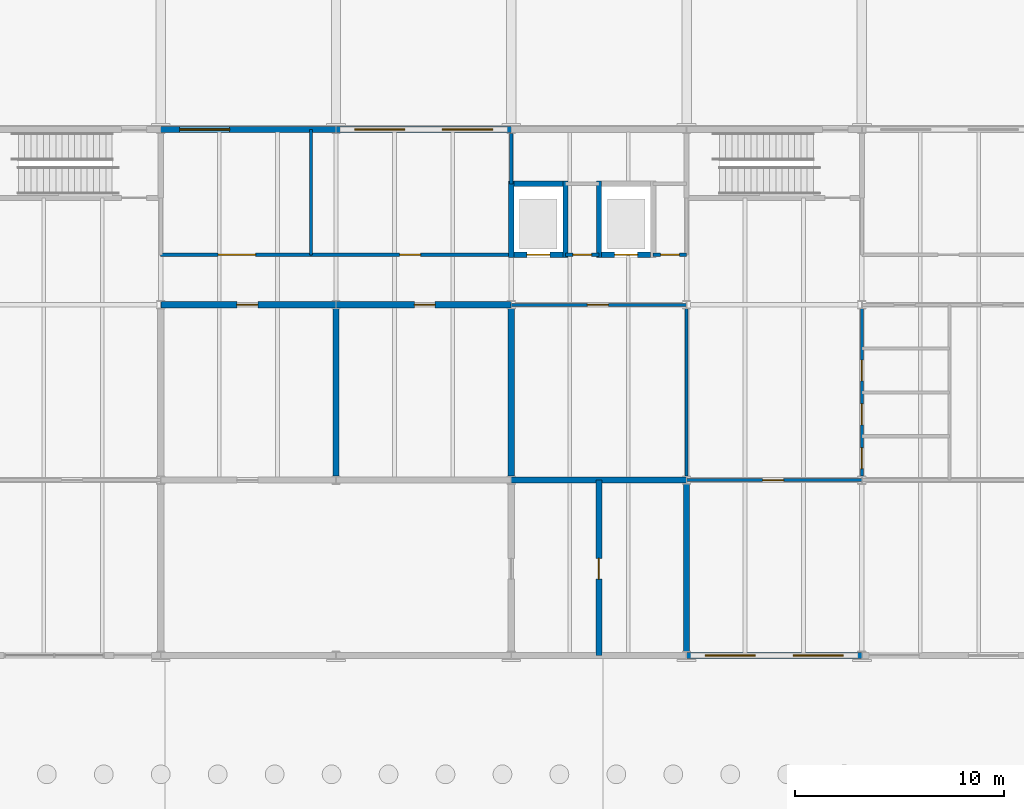
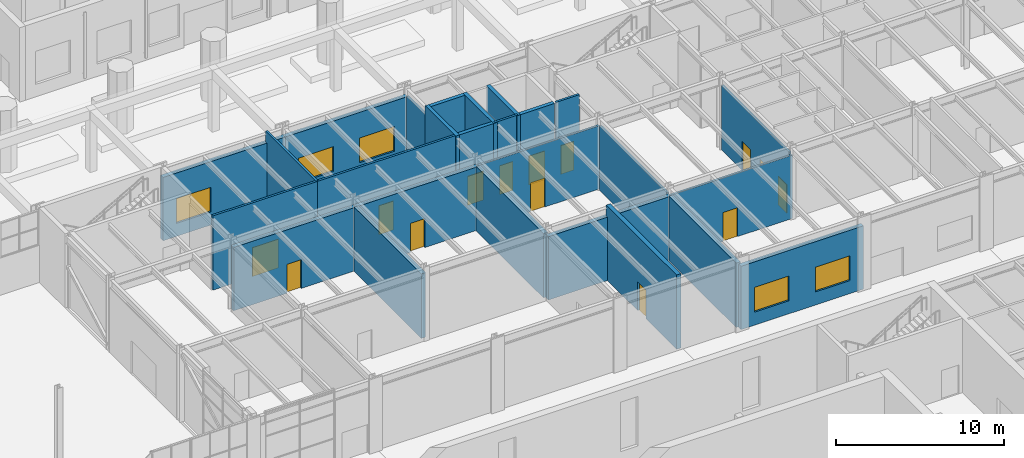
# One storey, part 70 of 127: 26 walls, 14 doors, 5 windows, 19 openings.
"""IFC4 building model written with IfcOpenShell, lengths in metres."""

from ifc_helpers import new_model, si_unit, direction, frame, frame_2d, origin, place, context, subcontext, project, spatial, rectangle, extrude, material, layer, layer_set, type_object, element, fill, save


model = new_model("IFC4")

# Units and contexts
model_context = context("Model", 3, precision=1e-05, world=origin(), true_north=direction((0.0, 1.0)))
body_context = subcontext(model_context, "Body", "Model", "MODEL_VIEW")
ifc_project = project(units=[si_unit("LENGTHUNIT", "METRE"), si_unit("AREAUNIT", "SQUARE_METRE"), si_unit("VOLUMEUNIT", "CUBIC_METRE"), si_unit("PLANEANGLEUNIT", "RADIAN"), si_unit("MASSUNIT", "GRAM", prefix="KILO")], contexts=[model_context])

# Site, building, storey
site_placement = place(None, origin())
site = spatial("IfcSite", under=ifc_project, at=site_placement, CompositionType="ELEMENT")
building_placement = place(site_placement, origin())
building = spatial("IfcBuilding", under=site, at=building_placement, Name="Ljudholm Concert House", CompositionType="ELEMENT")
storey_placement = place(building_placement, origin())
storey = spatial("IfcBuildingStorey", under=building, at=storey_placement, Name="L00", CompositionType="ELEMENT", Elevation=0.0)

# Walls
ifc_material_1 = material(Name="Double gypsum board on staggered studs")
ifc_layer_1 = layer(ifc_material_1, 0.300048828125)
ifc_layer_set_1 = layer_set([ifc_layer_1], Name="Double gypsum board on staggered studs")
wall_type_1 = type_object("IfcWallType", Name="ACOUSTIC PARTITION 300", PredefinedType="PARTITIONING", material=ifc_layer_set_1)
for number, where, z_axis, x_axis, name in (
    (1, (71.199951171875, 113.38671875, 0.0), (0.0, 0.0, 1.0), (0.0, 1.0, 0.0), "Acoustic partition"),
    (2, (79.60009765625, 113.38671875, 0.0), (0.0, 0.0, 1.0), (0.0, 1.0, 0.0), "Acoustic partition"),
):
    element("IfcWall", number, at=place(storey_placement, frame(where, z_axis=z_axis, x_axis=x_axis)), inside=storey, type_object=wall_type_1, Name=name, PredefinedType="PARTITIONING", context=body_context, shape_type="SweptSolid", body=[
        extrude(rectangle(XDim=8.026611328125, YDim=0.300048828125, at=frame_2d((4.01318359375, 0.0))), origin(), (0.0, 0.0, 1.0), 4.6865234375),
    ])

# Wall, opening, door
wall_1_placement = place(storey_placement, frame((83.800048828125, 104.800048828125, 0.0), z_axis=(0.0, 0.0, 1.0), x_axis=(0.0, 1.0, 0.0)))
wall_1 = element("IfcWall", 3, at=wall_1_placement, inside=storey, type_object=wall_type_1, Name="Acoustic partition", PredefinedType="PARTITIONING", context=body_context, shape_type="SweptSolid", body=[
    extrude(rectangle(XDim=8.39990234375, YDim=0.300048828125, at=frame_2d((4.199951171875, 0.0))), origin(), (0.0, 0.0, 1.0), 5.39990234375),
])
opening_1_placement = place(wall_1_placement, frame((3.64990234375, 0.0, 0.0)))
opening_1 = element("IfcOpeningElement", 4, at=opening_1_placement, cuts=wall_1, Name="Opening D-R00-021", PredefinedType="OPENING", context=body_context, shape_type="SweptSolid", body=[
    extrude(rectangle(XDim=1.0, YDim=2.10009765625, at=frame_2d((0.5, 1.050048828125))), frame((0.0, 0.159912109375, 0.0), z_axis=(0.0, -1.0, 0.0), x_axis=(1.0, 0.0, 0.0)), (0.0, 0.0, 1.0), 0.320068359375),
])
ifc_material_2 = material(Name="Hollow metal door in steel frame", Category="steel")
door_type_1 = type_object("IfcDoorType", Name="SWING DOOR 1000x2100", OperationType="SINGLE_SWING_LEFT", PredefinedType="DOOR", material=ifc_material_2)
door_1_placement = place(opening_1_placement, frame((1.0, 0.0, 0.0), z_axis=(0.0, 0.0, 1.0), x_axis=(-1.0, 0.0, 0.0)))
door_1 = element("IfcDoor", 5, at=door_1_placement, inside=storey, type_object=door_type_1, Name="Door", OperationType="SINGLE_SWING_RIGHT", OverallHeight=2.10009765625, OverallWidth=1.0, PredefinedType="DOOR", context=body_context, shape_type="SweptSolid", body=[
    extrude(rectangle(XDim=1.0, YDim=2.10009765625, at=frame_2d((0.5, 1.050048828125))), frame((0.0, 0.02490234375, 0.0), z_axis=(0.0, -1.0, 0.0), x_axis=(1.0, 0.0, 0.0)), (0.0, 0.0, 1.0), 0.050048828125),
])
fill(opening_1, door_1)

# Walls
wall_2_placement = place(storey_placement, frame((88.0, 104.986572265625, 0.0), z_axis=(0.0, 0.0, 1.0), x_axis=(0.0, 1.0, 0.0)))
element("IfcWall", 6, at=wall_2_placement, inside=storey, type_object=wall_type_1, Name="Acoustic partition", PredefinedType="PARTITIONING", context=body_context, shape_type="SweptSolid", body=[
    extrude(rectangle(XDim=8.02685546875, YDim=0.300048828125, at=frame_2d((4.013427734375, 0.0))), origin(), (0.0, 0.0, 1.0), 4.6865234375),
])
wall_3_placement = place(storey_placement, frame((79.591796875, 113.199951171875, 0.0), z_axis=(0.0, 0.0, 1.0), x_axis=(1.0, 0.0, 0.0)))
element("IfcWall", 7, at=wall_3_placement, inside=storey, type_object=wall_type_1, Name="Acoustic partition", PredefinedType="PARTITIONING", context=body_context, shape_type="SweptSolid", body=[
    extrude(rectangle(XDim=8.41650390625, YDim=0.300048828125, at=frame_2d((4.208251953125, 0.0))), origin(), (0.0, 0.0, 1.0), 4.60791015625),
])

# Wall, opening, door
wall_4_placement = place(storey_placement, frame((62.80810546875, 121.60009765625, 0.0), z_axis=(0.0, 0.0, 1.0), x_axis=(1.0, 0.0, 0.0)))
wall_4 = element("IfcWall", 8, at=wall_4_placement, inside=storey, type_object=wall_type_1, Name="Acoustic partition", PredefinedType="PARTITIONING", context=body_context, shape_type="SweptSolid", body=[
    extrude(rectangle(XDim=8.400146484375, YDim=0.300048828125, at=frame_2d((4.2001953125, 0.0))), origin(), (0.0, 0.0, 1.0), 4.60791015625),
])
opening_2_placement = place(wall_4_placement, frame((3.641845703125, 0.0, 0.0)))
opening_2 = element("IfcOpeningElement", 9, at=opening_2_placement, cuts=wall_4, Name="Opening D-R00-018", PredefinedType="OPENING", context=body_context, shape_type="SweptSolid", body=[
    extrude(rectangle(XDim=1.0, YDim=2.10009765625, at=frame_2d((0.5, 1.050048828125))), frame((0.0, 0.159912109375, 0.0), z_axis=(0.0, -1.0, 0.0), x_axis=(1.0, 0.0, 0.0)), (0.0, 0.0, 1.0), 0.320068359375),
])
door_2_placement = place(opening_2_placement, frame((1.0, 0.0, 0.0), z_axis=(0.0, 0.0, 1.0), x_axis=(-1.0, 0.0, 0.0)))
door_2 = element("IfcDoor", 10, at=door_2_placement, inside=storey, type_object=door_type_1, Name="Door", OperationType="SINGLE_SWING_LEFT", OverallHeight=2.10009765625, OverallWidth=1.0, PredefinedType="DOOR", context=body_context, shape_type="SweptSolid", body=[
    extrude(rectangle(XDim=1.0, YDim=2.10009765625, at=frame_2d((0.5, 1.050048828125))), frame((0.0, 0.02490234375, 0.0), z_axis=(0.0, -1.0, 0.0), x_axis=(1.0, 0.0, 0.0)), (0.0, 0.0, 1.0), 0.050048828125),
])
fill(opening_2, door_2)

wall_5_placement = place(storey_placement, frame((71.19189453125, 121.60009765625, 0.0), z_axis=(0.0, 0.0, 1.0), x_axis=(1.0, 0.0, 0.0)))
wall_5 = element("IfcWall", 11, at=wall_5_placement, inside=storey, type_object=wall_type_1, Name="Acoustic partition", PredefinedType="PARTITIONING", context=body_context, shape_type="SweptSolid", body=[
    extrude(rectangle(XDim=8.416259765625, YDim=0.300048828125, at=frame_2d((4.2080078125, 0.0))), origin(), (0.0, 0.0, 1.0), 4.60791015625),
])
opening_3_placement = place(wall_5_placement, frame((3.75830078125, 0.0, 0.0)))
opening_3 = element("IfcOpeningElement", 12, at=opening_3_placement, cuts=wall_5, Name="Opening D-R00-019", PredefinedType="OPENING", context=body_context, shape_type="SweptSolid", body=[
    extrude(rectangle(XDim=1.0, YDim=2.10009765625, at=frame_2d((0.5, 1.050048828125))), frame((0.0, 0.159912109375, 0.0), z_axis=(0.0, -1.0, 0.0), x_axis=(1.0, 0.0, 0.0)), (0.0, 0.0, 1.0), 0.320068359375),
])
door_3_placement = place(opening_3_placement, frame((1.0, 0.0, 0.0), z_axis=(0.0, 0.0, 1.0), x_axis=(-1.0, 0.0, 0.0)))
door_3 = element("IfcDoor", 13, at=door_3_placement, inside=storey, type_object=door_type_1, Name="Door", OperationType="SINGLE_SWING_RIGHT", OverallHeight=2.10009765625, OverallWidth=1.0, PredefinedType="DOOR", context=body_context, shape_type="SweptSolid", body=[
    extrude(rectangle(XDim=1.0, YDim=2.10009765625, at=frame_2d((0.5, 1.050048828125))), frame((0.0, 0.02490234375, 0.0), z_axis=(0.0, -1.0, 0.0), x_axis=(1.0, 0.0, 0.0)), (0.0, 0.0, 1.0), 0.050048828125),
])
fill(opening_3, door_3)

# Walls
ifc_material_3 = material(Name="Gypsum board on steel studs", Category="steel")
ifc_layer_2 = layer(ifc_material_3, 0.14990234375)
ifc_layer_set_2 = layer_set([ifc_layer_2], Name="Gypsum board on steel studs")
wall_type_2 = type_object("IfcWallType", Name="GYPSUM PARTITION 150", PredefinedType="PARTITIONING", material=ifc_layer_set_2)
wall_6_placement = place(storey_placement, frame((70.0, 124.0, 0.0), z_axis=(0.0, 0.0, 1.0), x_axis=(0.0, 1.0, 0.0)))
element("IfcWall", 14, at=wall_6_placement, inside=storey, type_object=wall_type_2, Name="Partition", PredefinedType="PARTITIONING", context=body_context, shape_type="SweptSolid", body=[
    extrude(rectangle(XDim=6.0, YDim=0.14990234375, at=frame_2d((3.0, 0.0))), origin(), (0.0, 0.0, 1.0), 5.39990234375),
])
wall_7_placement = place(storey_placement, frame((79.60009765625, 127.39990234375, 0.0), z_axis=(0.0, 0.0, 1.0), x_axis=(0.0, 1.0, 0.0)))
element("IfcWall", 15, at=wall_7_placement, inside=storey, type_object=wall_type_2, Name="Partition", PredefinedType="PARTITIONING", context=body_context, shape_type="SweptSolid", body=[
    extrude(rectangle(XDim=2.413330078125, YDim=0.14990234375, at=frame_2d((1.20654296875, 0.0))), origin(), (0.0, 0.0, 1.0), 4.6865234375),
])
wall_8_placement = place(storey_placement, frame((88.0, 113.38671875, 0.0), z_axis=(0.0, 0.0, 1.0), x_axis=(0.0, 1.0, 0.0)))
element("IfcWall", 16, at=wall_8_placement, inside=storey, type_object=wall_type_2, Name="Partition", PredefinedType="PARTITIONING", context=body_context, shape_type="SweptSolid", body=[
    extrude(rectangle(XDim=8.026611328125, YDim=0.14990234375, at=frame_2d((4.01318359375, 0.0))), origin(), (0.0, 0.0, 1.0), 4.6865234375),
])

# Wall, openings, doors
wall_9_placement = place(storey_placement, frame((96.39990234375, 113.38671875, 0.0), z_axis=(0.0, 0.0, 1.0), x_axis=(0.0, 1.0, 0.0)))
wall_9 = element("IfcWall", 17, at=wall_9_placement, inside=storey, type_object=wall_type_2, Name="Partition", PredefinedType="PARTITIONING", context=body_context, shape_type="SweptSolid", body=[
    extrude(rectangle(XDim=8.026611328125, YDim=0.14990234375, at=frame_2d((4.01318359375, 0.0))), origin(), (0.0, 0.0, 1.0), 4.6865234375),
])
opening_4_placement = place(wall_9_placement, frame((0.36328125, 0.0, 0.0)))
opening_4 = element("IfcOpeningElement", 18, at=opening_4_placement, cuts=wall_9, Name="Opening D-R00-024", PredefinedType="OPENING", context=body_context, shape_type="SweptSolid", body=[
    extrude(rectangle(XDim=1.0, YDim=2.10009765625, at=frame_2d((0.5, 1.050048828125))), frame((0.0, 0.0849609375, 0.0), z_axis=(0.0, -1.0, 0.0), x_axis=(1.0, 0.0, 0.0)), (0.0, 0.0, 1.0), 0.169921875),
])
opening_5_placement = place(wall_9_placement, frame((2.46337890625, 0.0, 0.0)))
opening_5 = element("IfcOpeningElement", 19, at=opening_5_placement, cuts=wall_9, Name="Opening D-R00-025", PredefinedType="OPENING", context=body_context, shape_type="SweptSolid", body=[
    extrude(rectangle(XDim=1.0, YDim=2.10009765625, at=frame_2d((0.5, 1.050048828125))), frame((0.0, 0.0849609375, 0.0), z_axis=(0.0, -1.0, 0.0), x_axis=(1.0, 0.0, 0.0)), (0.0, 0.0, 1.0), 0.169921875),
])
opening_6_placement = place(wall_9_placement, frame((4.563232421875, 0.0, 0.0)))
opening_6 = element("IfcOpeningElement", 20, at=opening_6_placement, cuts=wall_9, Name="Opening D-R00-026", PredefinedType="OPENING", context=body_context, shape_type="SweptSolid", body=[
    extrude(rectangle(XDim=1.0, YDim=2.10009765625, at=frame_2d((0.5, 1.050048828125))), frame((0.0, 0.0849609375, 0.0), z_axis=(0.0, -1.0, 0.0), x_axis=(1.0, 0.0, 0.0)), (0.0, 0.0, 1.0), 0.169921875),
])
door_4_placement = place(opening_4_placement, frame((1.0, 0.0, 0.0), z_axis=(0.0, 0.0, 1.0), x_axis=(-1.0, 0.0, 0.0)))
door_4 = element("IfcDoor", 21, at=door_4_placement, inside=storey, type_object=door_type_1, Name="Door", OperationType="SINGLE_SWING_LEFT", OverallHeight=2.10009765625, OverallWidth=1.0, PredefinedType="DOOR", context=body_context, shape_type="SweptSolid", body=[
    extrude(rectangle(XDim=1.0, YDim=2.10009765625, at=frame_2d((0.5, 1.050048828125))), frame((0.0, 0.02490234375, 0.0), z_axis=(0.0, -1.0, 0.0), x_axis=(1.0, 0.0, 0.0)), (0.0, 0.0, 1.0), 0.050048828125),
])
fill(opening_4, door_4)
door_5_placement = place(opening_5_placement, frame((1.0, 0.0, 0.0), z_axis=(0.0, 0.0, 1.0), x_axis=(-1.0, 0.0, 0.0)))
door_5 = element("IfcDoor", 22, at=door_5_placement, inside=storey, type_object=door_type_1, Name="Door", OperationType="SINGLE_SWING_LEFT", OverallHeight=2.10009765625, OverallWidth=1.0, PredefinedType="DOOR", context=body_context, shape_type="SweptSolid", body=[
    extrude(rectangle(XDim=1.0, YDim=2.10009765625, at=frame_2d((0.5, 1.050048828125))), frame((0.0, 0.02490234375, 0.0), z_axis=(0.0, -1.0, 0.0), x_axis=(1.0, 0.0, 0.0)), (0.0, 0.0, 1.0), 0.050048828125),
])
fill(opening_5, door_5)
door_6_placement = place(opening_6_placement, frame((1.0, 0.0, 0.0), z_axis=(0.0, 0.0, 1.0), x_axis=(-1.0, 0.0, 0.0)))
door_6 = element("IfcDoor", 23, at=door_6_placement, inside=storey, type_object=door_type_1, Name="Door", OperationType="SINGLE_SWING_RIGHT", OverallHeight=2.10009765625, OverallWidth=1.0, PredefinedType="DOOR", context=body_context, shape_type="SweptSolid", body=[
    extrude(rectangle(XDim=1.0, YDim=2.10009765625, at=frame_2d((0.5, 1.050048828125))), frame((0.0, 0.02490234375, 0.0), z_axis=(0.0, -1.0, 0.0), x_axis=(1.0, 0.0, 0.0)), (0.0, 0.0, 1.0), 0.050048828125),
])
fill(opening_6, door_6)

# Wall, opening, door
wall_10_placement = place(storey_placement, frame((87.99169921875, 113.199951171875, 0.0), z_axis=(0.0, 0.0, 1.0), x_axis=(1.0, 0.0, 0.0)))
wall_10 = element("IfcWall", 24, at=wall_10_placement, inside=storey, type_object=wall_type_2, Name="Partition", PredefinedType="PARTITIONING", context=body_context, shape_type="SweptSolid", body=[
    extrude(rectangle(XDim=8.41650390625, YDim=0.14990234375, at=frame_2d((4.208251953125, 0.0))), origin(), (0.0, 0.0, 1.0), 4.60791015625),
])
opening_7_placement = place(wall_10_placement, frame((3.658203125, 0.0, 0.0)))
opening_7 = element("IfcOpeningElement", 25, at=opening_7_placement, cuts=wall_10, Name="Opening D-R00-023", PredefinedType="OPENING", context=body_context, shape_type="SweptSolid", body=[
    extrude(rectangle(XDim=1.0, YDim=2.10009765625, at=frame_2d((0.5, 1.050048828125))), frame((0.0, 0.0849609375, 0.0), z_axis=(0.0, -1.0, 0.0), x_axis=(1.0, 0.0, 0.0)), (0.0, 0.0, 1.0), 0.169921875),
])
door_7_placement = place(opening_7_placement, frame((1.0, 0.0, 0.0), z_axis=(0.0, 0.0, 1.0), x_axis=(-1.0, 0.0, 0.0)))
door_7 = element("IfcDoor", 26, at=door_7_placement, inside=storey, type_object=door_type_1, Name="Door", OperationType="SINGLE_SWING_LEFT", OverallHeight=2.10009765625, OverallWidth=1.0, PredefinedType="DOOR", context=body_context, shape_type="SweptSolid", body=[
    extrude(rectangle(XDim=1.0, YDim=2.10009765625, at=frame_2d((0.5, 1.050048828125))), frame((0.0, 0.02490234375, 0.0), z_axis=(0.0, -1.0, 0.0), x_axis=(1.0, 0.0, 0.0)), (0.0, 0.0, 1.0), 0.050048828125),
])
fill(opening_7, door_7)

wall_11_placement = place(storey_placement, frame((79.591796875, 121.60009765625, 0.0), z_axis=(0.0, 0.0, 1.0), x_axis=(1.0, 0.0, 0.0)))
wall_11 = element("IfcWall", 27, at=wall_11_placement, inside=storey, type_object=wall_type_2, Name="Partition", PredefinedType="PARTITIONING", context=body_context, shape_type="SweptSolid", body=[
    extrude(rectangle(XDim=8.39990234375, YDim=0.14990234375, at=frame_2d((4.199951171875, 0.0))), origin(), (0.0, 0.0, 1.0), 4.60791015625),
])
opening_8_placement = place(wall_11_placement, frame((3.658203125, 0.0, 0.0)))
opening_8 = element("IfcOpeningElement", 28, at=opening_8_placement, cuts=wall_11, Name="Opening D-R00-022", PredefinedType="OPENING", context=body_context, shape_type="SweptSolid", body=[
    extrude(rectangle(XDim=1.0, YDim=2.10009765625, at=frame_2d((0.5, 1.050048828125))), frame((0.0, 0.0849609375, 0.0), z_axis=(0.0, -1.0, 0.0), x_axis=(1.0, 0.0, 0.0)), (0.0, 0.0, 1.0), 0.169921875),
])
door_8_placement = place(opening_8_placement, frame((1.0, 0.0, 0.0), z_axis=(0.0, 0.0, 1.0), x_axis=(-1.0, 0.0, 0.0)))
door_8 = element("IfcDoor", 29, at=door_8_placement, inside=storey, type_object=door_type_1, Name="Door", OperationType="SINGLE_SWING_RIGHT", OverallHeight=2.10009765625, OverallWidth=1.0, PredefinedType="DOOR", context=body_context, shape_type="SweptSolid", body=[
    extrude(rectangle(XDim=1.0, YDim=2.10009765625, at=frame_2d((0.5, 1.050048828125))), frame((0.0, 0.02490234375, 0.0), z_axis=(0.0, -1.0, 0.0), x_axis=(1.0, 0.0, 0.0)), (0.0, 0.0, 1.0), 0.050048828125),
])
fill(opening_8, door_8)

wall_12_placement = place(storey_placement, frame((62.800048828125, 124.0, 0.0), z_axis=(0.0, 0.0, 1.0), x_axis=(1.0, 0.0, 0.0)))
wall_12 = element("IfcWall", 30, at=wall_12_placement, inside=storey, type_object=wall_type_2, Name="Partition", PredefinedType="PARTITIONING", context=body_context, shape_type="SweptSolid", body=[
    extrude(rectangle(XDim=7.199951171875, YDim=0.14990234375, at=frame_2d((3.60009765625, 0.0))), origin(), (0.0, 0.0, 1.0), 5.39990234375),
])
opening_9_placement = place(wall_12_placement, frame((2.75, 0.0, 0.0)))
opening_9 = element("IfcOpeningElement", 31, at=opening_9_placement, cuts=wall_12, Name="Opening D-R00-030", PredefinedType="OPENING", context=body_context, shape_type="SweptSolid", body=[
    extrude(rectangle(XDim=1.800048828125, YDim=2.10009765625, at=frame_2d((0.89990234375, 1.050048828125))), frame((0.0, 0.0849609375, 0.0), z_axis=(0.0, -1.0, 0.0), x_axis=(1.0, 0.0, 0.0)), (0.0, 0.0, 1.0), 0.169921875),
])
ifc_material_4 = material(Name="Hollow metal door in steel frame", Category="steel")
door_type_2 = type_object("IfcDoorType", Name="DOUBLE DOOR 1800x2100", OperationType="DOUBLE_DOOR_SINGLE_SWING", PredefinedType="DOOR", material=ifc_material_4)
door_9_placement = place(opening_9_placement, origin())
door_9 = element("IfcDoor", 32, at=door_9_placement, inside=storey, type_object=door_type_2, Name="Door", OperationType="DOUBLE_DOOR_SINGLE_SWING", OverallHeight=2.10009765625, OverallWidth=1.800048828125, PredefinedType="DOOR", context=body_context, shape_type="SweptSolid", body=[
    extrude(rectangle(XDim=1.800048828125, YDim=2.10009765625, at=frame_2d((0.89990234375, 1.050048828125))), frame((0.0, 0.02490234375, 0.0), z_axis=(0.0, -1.0, 0.0), x_axis=(1.0, 0.0, 0.0)), (0.0, 0.0, 1.0), 0.050048828125),
])
fill(opening_9, door_9)

wall_13_placement = place(storey_placement, frame((70.0, 124.0, 0.0), z_axis=(0.0, 0.0, 1.0), x_axis=(1.0, 0.0, 0.0)))
wall_13 = element("IfcWall", 33, at=wall_13_placement, inside=storey, type_object=wall_type_2, Name="Partition", PredefinedType="PARTITIONING", context=body_context, shape_type="SweptSolid", body=[
    extrude(rectangle(XDim=9.60009765625, YDim=0.14990234375, at=frame_2d((4.800048828125, 0.0))), origin(), (0.0, 0.0, 1.0), 5.39990234375),
])
opening_10_placement = place(wall_13_placement, frame((4.25, 0.0, 0.0)))
opening_10 = element("IfcOpeningElement", 34, at=opening_10_placement, cuts=wall_13, Name="Opening D-R00-031", PredefinedType="OPENING", context=body_context, shape_type="SweptSolid", body=[
    extrude(rectangle(XDim=1.0, YDim=2.10009765625, at=frame_2d((0.5, 1.050048828125))), frame((0.0, 0.0849609375, 0.0), z_axis=(0.0, -1.0, 0.0), x_axis=(1.0, 0.0, 0.0)), (0.0, 0.0, 1.0), 0.169921875),
])
door_10_placement = place(opening_10_placement, origin())
door_10 = element("IfcDoor", 35, at=door_10_placement, inside=storey, type_object=door_type_1, Name="Door", OperationType="SINGLE_SWING_LEFT", OverallHeight=2.10009765625, OverallWidth=1.0, PredefinedType="DOOR", context=body_context, shape_type="SweptSolid", body=[
    extrude(rectangle(XDim=1.0, YDim=2.10009765625, at=frame_2d((0.5, 1.050048828125))), frame((0.0, 0.02490234375, 0.0), z_axis=(0.0, -1.0, 0.0), x_axis=(1.0, 0.0, 0.0)), (0.0, 0.0, 1.0), 0.050048828125),
])
fill(opening_10, door_10)

wall_14_placement = place(storey_placement, frame((82.199951171875, 124.0, 0.0), z_axis=(0.0, 0.0, 1.0), x_axis=(1.0, 0.0, 0.0)))
wall_14 = element("IfcWall", 36, at=wall_14_placement, inside=storey, type_object=wall_type_2, Name="Partition", PredefinedType="PARTITIONING", context=body_context, shape_type="SweptSolid", body=[
    extrude(rectangle(XDim=1.60009765625, YDim=0.14990234375, at=frame_2d((0.800048828125, 0.0))), origin(), (0.0, 0.0, 1.0), 5.39990234375),
])
opening_11_placement = place(wall_14_placement, frame((0.35009765625, 0.0, 0.0)))
opening_11 = element("IfcOpeningElement", 37, at=opening_11_placement, cuts=wall_14, Name="Opening D-R00-014", PredefinedType="OPENING", context=body_context, shape_type="SweptSolid", body=[
    extrude(rectangle(XDim=0.89990234375, YDim=2.10009765625, at=frame_2d((0.449951171875, 1.050048828125))), frame((0.0, 0.0849609375, 0.0), z_axis=(0.0, -1.0, 0.0), x_axis=(1.0, 0.0, 0.0)), (0.0, 0.0, 1.0), 0.169921875),
])
ifc_material_5 = material(Name="Hollow metal door in steel frame", Category="steel")
door_type_3 = type_object("IfcDoorType", Name="SWING DOOR 900x2100", OperationType="SINGLE_SWING_LEFT", PredefinedType="DOOR", material=ifc_material_5)
door_11_placement = place(opening_11_placement, origin())
door_11 = element("IfcDoor", 38, at=door_11_placement, inside=storey, type_object=door_type_3, Name="Door", OperationType="SINGLE_SWING_RIGHT", OverallHeight=2.10009765625, OverallWidth=0.89990234375, PredefinedType="DOOR", context=body_context, shape_type="SweptSolid", body=[
    extrude(rectangle(XDim=0.89990234375, YDim=2.10009765625, at=frame_2d((0.449951171875, 1.050048828125))), frame((0.0, 0.02490234375, 0.0), z_axis=(0.0, -1.0, 0.0), x_axis=(1.0, 0.0, 0.0)), (0.0, 0.0, 1.0), 0.050048828125),
])
fill(opening_11, door_11)

wall_15_placement = place(storey_placement, frame((86.39990234375, 124.0, 0.0), z_axis=(0.0, 0.0, 1.0), x_axis=(1.0, 0.0, 0.0)))
wall_15 = element("IfcWall", 39, at=wall_15_placement, inside=storey, type_object=wall_type_2, Name="Partition", PredefinedType="PARTITIONING", context=body_context, shape_type="SweptSolid", body=[
    extrude(rectangle(XDim=1.60009765625, YDim=0.14990234375, at=frame_2d((0.800048828125, 0.0))), origin(), (0.0, 0.0, 1.0), 5.39990234375),
])
opening_12_placement = place(wall_15_placement, frame((0.35009765625, 0.0, 0.0)))
opening_12 = element("IfcOpeningElement", 40, at=opening_12_placement, cuts=wall_15, Name="Opening D-R00-015", PredefinedType="OPENING", context=body_context, shape_type="SweptSolid", body=[
    extrude(rectangle(XDim=0.89990234375, YDim=2.10009765625, at=frame_2d((0.449951171875, 1.050048828125))), frame((0.0, 0.0849609375, 0.0), z_axis=(0.0, -1.0, 0.0), x_axis=(1.0, 0.0, 0.0)), (0.0, 0.0, 1.0), 0.169921875),
])
door_12_placement = place(opening_12_placement, origin())
door_12 = element("IfcDoor", 41, at=door_12_placement, inside=storey, type_object=door_type_3, Name="Door", OperationType="SINGLE_SWING_LEFT", OverallHeight=2.10009765625, OverallWidth=0.89990234375, PredefinedType="DOOR", context=body_context, shape_type="SweptSolid", body=[
    extrude(rectangle(XDim=0.89990234375, YDim=2.10009765625, at=frame_2d((0.449951171875, 1.050048828125))), frame((0.0, 0.02490234375, 0.0), z_axis=(0.0, -1.0, 0.0), x_axis=(1.0, 0.0, 0.0)), (0.0, 0.0, 1.0), 0.050048828125),
])
fill(opening_12, door_12)

# Wall, openings, windows
ifc_material_6 = material(Name="Precast concrete 5,000 psi", Category="concrete")
ifc_layer_3 = layer(ifc_material_6, 0.300048828125)
ifc_layer_set_3 = layer_set([ifc_layer_3], Name="Precast concrete 5,000 psi")
wall_type_3 = type_object("IfcWallType", Name="PRECAST PANEL WALL 300", PredefinedType="SOLIDWALL", material=ifc_layer_set_3)
wall_16_placement = place(storey_placement, frame((87.99169921875, 104.800048828125, 0.0), z_axis=(0.0, 0.0, 1.0), x_axis=(1.0, 0.0, 0.0)))
wall_16 = element("IfcWall", 42, at=wall_16_placement, inside=storey, type_object=wall_type_3, Name="Facade wall", PredefinedType="SOLIDWALL", context=body_context, shape_type="SweptSolid", body=[
    extrude(rectangle(XDim=8.41650390625, YDim=0.300048828125, at=frame_2d((4.208251953125, 0.0))), origin(), (0.0, 0.0, 1.0), 4.60791015625),
])
opening_13_placement = place(wall_16_placement, frame((0.908203125, 0.0, 0.949951171875)))
opening_13 = element("IfcOpeningElement", 43, at=opening_13_placement, cuts=wall_16, Name="Opening X-R00-001", PredefinedType="OPENING", context=body_context, shape_type="SweptSolid", body=[
    extrude(rectangle(XDim=2.39990234375, YDim=1.800048828125, at=frame_2d((1.199951171875, 0.89990234375))), frame((0.0, 0.159912109375, 0.0), z_axis=(0.0, -1.0, 0.0), x_axis=(1.0, 0.0, 0.0)), (0.0, 0.0, 1.0), 0.320068359375),
])
opening_14_placement = place(wall_16_placement, frame((5.108154296875, 0.0, 0.949951171875)))
opening_14 = element("IfcOpeningElement", 44, at=opening_14_placement, cuts=wall_16, Name="Opening X-R00-002", PredefinedType="OPENING", context=body_context, shape_type="SweptSolid", body=[
    extrude(rectangle(XDim=2.39990234375, YDim=1.800048828125, at=frame_2d((1.199951171875, 0.89990234375))), frame((0.0, 0.159912109375, 0.0), z_axis=(0.0, -1.0, 0.0), x_axis=(1.0, 0.0, 0.0)), (0.0, 0.0, 1.0), 0.320068359375),
])
ifc_material_7 = material(Name="Aluminium frame, impact glazing", Category="aluminium")
window_type_1 = type_object("IfcWindowType", Name="CASEMENT WINDOW 2400x1800", PartitioningType="DOUBLE_PANEL_VERTICAL", PredefinedType="WINDOW", material=ifc_material_7)
window_1_placement = place(opening_13_placement, origin())
window_1 = element("IfcWindow", 45, at=window_1_placement, inside=storey, type_object=window_type_1, Name="Window", OverallHeight=1.800048828125, OverallWidth=2.39990234375, PartitioningType="DOUBLE_PANEL_VERTICAL", PredefinedType="WINDOW", context=body_context, shape_type="SweptSolid", body=[
    extrude(rectangle(XDim=2.39990234375, YDim=1.800048828125, at=frame_2d((1.199951171875, 0.89990234375))), frame((0.0, 0.030029296875, 0.0), z_axis=(0.0, -1.0, 0.0), x_axis=(1.0, 0.0, 0.0)), (0.0, 0.0, 1.0), 0.06005859375),
])
fill(opening_13, window_1)
window_2_placement = place(opening_14_placement, origin())
window_2 = element("IfcWindow", 46, at=window_2_placement, inside=storey, type_object=window_type_1, Name="Window", OverallHeight=1.800048828125, OverallWidth=2.39990234375, PartitioningType="DOUBLE_PANEL_VERTICAL", PredefinedType="WINDOW", context=body_context, shape_type="SweptSolid", body=[
    extrude(rectangle(XDim=2.39990234375, YDim=1.800048828125, at=frame_2d((1.199951171875, 0.89990234375))), frame((0.0, 0.030029296875, 0.0), z_axis=(0.0, -1.0, 0.0), x_axis=(1.0, 0.0, 0.0)), (0.0, 0.0, 1.0), 0.06005859375),
])
fill(opening_14, window_2)

# Wall, opening, window
wall_17_placement = place(storey_placement, frame((62.791748046875, 130.0, 0.0), z_axis=(0.0, 0.0, 1.0), x_axis=(1.0, 0.0, 0.0)))
wall_17 = element("IfcWall", 47, at=wall_17_placement, inside=storey, type_object=wall_type_3, Name="Facade wall", PredefinedType="SOLIDWALL", context=body_context, shape_type="SweptSolid", body=[
    extrude(rectangle(XDim=8.41650390625, YDim=0.300048828125, at=frame_2d((4.208251953125, 0.0))), origin(), (0.0, 0.0, 1.0), 4.60791015625),
])
opening_15_placement = place(wall_17_placement, frame((0.908203125, 0.0, 0.949951171875)))
opening_15 = element("IfcOpeningElement", 48, at=opening_15_placement, cuts=wall_17, Name="Opening X-R00-005", PredefinedType="OPENING", context=body_context, shape_type="SweptSolid", body=[
    extrude(rectangle(XDim=2.39990234375, YDim=1.800048828125, at=frame_2d((1.199951171875, 0.89990234375))), frame((0.0, 0.159912109375, 0.0), z_axis=(0.0, -1.0, 0.0), x_axis=(1.0, 0.0, 0.0)), (0.0, 0.0, 1.0), 0.320068359375),
])
window_3_placement = place(opening_15_placement, origin())
window_3 = element("IfcWindow", 49, at=window_3_placement, inside=storey, type_object=window_type_1, Name="Window", OverallHeight=1.800048828125, OverallWidth=2.39990234375, PartitioningType="DOUBLE_PANEL_VERTICAL", PredefinedType="WINDOW", context=body_context, shape_type="SweptSolid", body=[
    extrude(rectangle(XDim=2.39990234375, YDim=1.800048828125, at=frame_2d((1.199951171875, 0.89990234375))), frame((0.0, 0.030029296875, 0.0), z_axis=(0.0, -1.0, 0.0), x_axis=(1.0, 0.0, 0.0)), (0.0, 0.0, 1.0), 0.06005859375),
])
fill(opening_15, window_3)

# Wall, openings, windows
wall_18_placement = place(storey_placement, frame((71.19189453125, 130.0, 0.0), z_axis=(0.0, 0.0, 1.0), x_axis=(1.0, 0.0, 0.0)))
wall_18 = element("IfcWall", 50, at=wall_18_placement, inside=storey, type_object=wall_type_3, Name="Facade wall", PredefinedType="SOLIDWALL", context=body_context, shape_type="SweptSolid", body=[
    extrude(rectangle(XDim=8.416259765625, YDim=0.300048828125, at=frame_2d((4.2080078125, 0.0))), origin(), (0.0, 0.0, 1.0), 4.60791015625),
])
opening_16_placement = place(wall_18_placement, frame((0.908203125, 0.0, 0.949951171875)))
opening_16 = element("IfcOpeningElement", 51, at=opening_16_placement, cuts=wall_18, Name="Opening X-R00-006", PredefinedType="OPENING", context=body_context, shape_type="SweptSolid", body=[
    extrude(rectangle(XDim=2.39990234375, YDim=1.800048828125, at=frame_2d((1.199951171875, 0.89990234375))), frame((0.0, 0.159912109375, 0.0), z_axis=(0.0, -1.0, 0.0), x_axis=(1.0, 0.0, 0.0)), (0.0, 0.0, 1.0), 0.320068359375),
])
opening_17_placement = place(wall_18_placement, frame((5.108154296875, 0.0, 0.949951171875)))
opening_17 = element("IfcOpeningElement", 52, at=opening_17_placement, cuts=wall_18, Name="Opening X-R00-007", PredefinedType="OPENING", context=body_context, shape_type="SweptSolid", body=[
    extrude(rectangle(XDim=2.39990234375, YDim=1.800048828125, at=frame_2d((1.199951171875, 0.89990234375))), frame((0.0, 0.159912109375, 0.0), z_axis=(0.0, -1.0, 0.0), x_axis=(1.0, 0.0, 0.0)), (0.0, 0.0, 1.0), 0.320068359375),
])
ifc_material_8 = material(Name="Aluminium fixed louvre, timber-grain finish", Category="aluminium")
window_type_2 = type_object("IfcWindowType", Name="FIXED WINDOW 2400x1800", PartitioningType="SINGLE_PANEL", PredefinedType="WINDOW", material=ifc_material_8)
window_4_placement = place(opening_16_placement, origin())
window_4 = element("IfcWindow", 53, at=window_4_placement, inside=storey, type_object=window_type_2, Name="Plant louvre", OverallHeight=1.800048828125, OverallWidth=2.39990234375, PartitioningType="SINGLE_PANEL", PredefinedType="WINDOW", context=body_context, shape_type="SweptSolid", body=[
    extrude(rectangle(XDim=2.39990234375, YDim=1.800048828125, at=frame_2d((1.199951171875, 0.89990234375))), frame((0.0, 0.030029296875, 0.0), z_axis=(0.0, -1.0, 0.0), x_axis=(1.0, 0.0, 0.0)), (0.0, 0.0, 1.0), 0.06005859375),
])
fill(opening_16, window_4)
window_5_placement = place(opening_17_placement, origin())
window_5 = element("IfcWindow", 54, at=window_5_placement, inside=storey, type_object=window_type_2, Name="Plant louvre", OverallHeight=1.800048828125, OverallWidth=2.39990234375, PartitioningType="SINGLE_PANEL", PredefinedType="WINDOW", context=body_context, shape_type="SweptSolid", body=[
    extrude(rectangle(XDim=2.39990234375, YDim=1.800048828125, at=frame_2d((1.199951171875, 0.89990234375))), frame((0.0, 0.030029296875, 0.0), z_axis=(0.0, -1.0, 0.0), x_axis=(1.0, 0.0, 0.0)), (0.0, 0.0, 1.0), 0.06005859375),
])
fill(opening_17, window_5)

# Walls
ifc_material_9 = material(Name="Concrete 6,500 psi", Category="concrete")
ifc_layer_4 = layer(ifc_material_9, 0.25)
ifc_layer_set_4 = layer_set([ifc_layer_4], Name="Concrete 6,500 psi")
wall_type_4 = type_object("IfcWallType", Name="RC WALL 250", PredefinedType="SOLIDWALL", material=ifc_layer_set_4)
for number, where, z_axis, x_axis, name in (
    (55, (79.60009765625, 123.875, 0.0), (0.0, 0.0, 1.0), (0.0, 1.0, 0.0), "Lift shaft wall"),
    (56, (82.199951171875, 123.875, 0.0), (0.0, 0.0, 1.0), (0.0, 1.0, 0.0), "Lift shaft wall"),
):
    element("IfcWall", number, at=place(storey_placement, frame(where, z_axis=z_axis, x_axis=x_axis)), inside=storey, type_object=wall_type_4, Name=name, PredefinedType="SOLIDWALL", context=body_context, shape_type="SweptSolid", body=[
        extrude(rectangle(XDim=3.64990234375, YDim=0.25, at=frame_2d((1.824951171875, 0.0))), origin(), (0.0, 0.0, 1.0), 5.39990234375),
    ])

# Wall, opening, door
wall_19_placement = place(storey_placement, frame((79.72509765625, 124.0, 0.0), z_axis=(0.0, 0.0, 1.0), x_axis=(1.0, 0.0, 0.0)))
wall_19 = element("IfcWall", 57, at=wall_19_placement, inside=storey, type_object=wall_type_4, Name="Lift shaft wall", PredefinedType="SOLIDWALL", context=body_context, shape_type="SweptSolid", body=[
    extrude(rectangle(XDim=2.349853515625, YDim=0.25, at=frame_2d((1.1748046875, 0.0))), origin(), (0.0, 0.0, 1.0), 5.39990234375),
])
opening_18_placement = place(wall_19_placement, frame((0.625, 0.0, 0.0)))
opening_18 = element("IfcOpeningElement", 58, at=opening_18_placement, cuts=wall_19, Name="Opening LD-R00-001", PredefinedType="OPENING", context=body_context, shape_type="SweptSolid", body=[
    extrude(rectangle(XDim=1.10009765625, YDim=2.10009765625, at=frame_2d((0.550048828125, 1.050048828125))), frame((0.0, 0.135009765625, 0.0), z_axis=(0.0, -1.0, 0.0), x_axis=(1.0, 0.0, 0.0)), (0.0, 0.0, 1.0), 0.27001953125),
])
ifc_material_10 = material(Name="Stainless steel sliding landing door, fire-rated", Category="steel")
door_type_4 = type_object("IfcDoorType", Name="LIFT DOOR 1100x2100", OperationType="SLIDING_TO_LEFT", PredefinedType="DOOR", material=ifc_material_10)
door_13_placement = place(opening_18_placement, origin())
door_13 = element("IfcDoor", 59, at=door_13_placement, inside=storey, type_object=door_type_4, Name="Lift landing door", OperationType="SLIDING_TO_LEFT", OverallHeight=2.10009765625, OverallWidth=1.10009765625, PredefinedType="DOOR", context=body_context, shape_type="SweptSolid", body=[
    extrude(rectangle(XDim=1.10009765625, YDim=2.10009765625, at=frame_2d((0.550048828125, 1.050048828125))), frame((0.0, 0.02490234375, 0.0), z_axis=(0.0, -1.0, 0.0), x_axis=(1.0, 0.0, 0.0)), (0.0, 0.0, 1.0), 0.050048828125),
])
fill(opening_18, door_13)

# Walls
wall_20_placement = place(storey_placement, frame((79.72509765625, 127.39990234375, 0.0), z_axis=(0.0, 0.0, 1.0), x_axis=(1.0, 0.0, 0.0)))
element("IfcWall", 60, at=wall_20_placement, inside=storey, type_object=wall_type_4, Name="Lift shaft wall", PredefinedType="SOLIDWALL", context=body_context, shape_type="SweptSolid", body=[
    extrude(rectangle(XDim=2.349853515625, YDim=0.25, at=frame_2d((1.1748046875, 0.0))), origin(), (0.0, 0.0, 1.0), 5.39990234375),
])
wall_21_placement = place(storey_placement, frame((83.800048828125, 123.875, 0.0), z_axis=(0.0, 0.0, 1.0), x_axis=(0.0, 1.0, 0.0)))
element("IfcWall", 61, at=wall_21_placement, inside=storey, type_object=wall_type_4, Name="Lift shaft wall", PredefinedType="SOLIDWALL", context=body_context, shape_type="SweptSolid", body=[
    extrude(rectangle(XDim=3.64990234375, YDim=0.25, at=frame_2d((1.824951171875, 0.0))), origin(), (0.0, 0.0, 1.0), 5.39990234375),
])

# Wall, opening, door
wall_22_placement = place(storey_placement, frame((83.925048828125, 124.0, 0.0), z_axis=(0.0, 0.0, 1.0), x_axis=(1.0, 0.0, 0.0)))
wall_22 = element("IfcWall", 62, at=wall_22_placement, inside=storey, type_object=wall_type_4, Name="Lift shaft wall", PredefinedType="SOLIDWALL", context=body_context, shape_type="SweptSolid", body=[
    extrude(rectangle(XDim=2.349853515625, YDim=0.25, at=frame_2d((1.1748046875, 0.0))), origin(), (0.0, 0.0, 1.0), 5.39990234375),
])
opening_19_placement = place(wall_22_placement, frame((0.625, 0.0, 0.0)))
opening_19 = element("IfcOpeningElement", 63, at=opening_19_placement, cuts=wall_22, Name="Opening LD-R00-002", PredefinedType="OPENING", context=body_context, shape_type="SweptSolid", body=[
    extrude(rectangle(XDim=1.10009765625, YDim=2.10009765625, at=frame_2d((0.550048828125, 1.050048828125))), frame((0.0, 0.135009765625, 0.0), z_axis=(0.0, -1.0, 0.0), x_axis=(1.0, 0.0, 0.0)), (0.0, 0.0, 1.0), 0.27001953125),
])
door_14_placement = place(opening_19_placement, origin())
door_14 = element("IfcDoor", 64, at=door_14_placement, inside=storey, type_object=door_type_4, Name="Lift landing door", OperationType="SLIDING_TO_LEFT", OverallHeight=2.10009765625, OverallWidth=1.10009765625, PredefinedType="DOOR", context=body_context, shape_type="SweptSolid", body=[
    extrude(rectangle(XDim=1.10009765625, YDim=2.10009765625, at=frame_2d((0.550048828125, 1.050048828125))), frame((0.0, 0.02490234375, 0.0), z_axis=(0.0, -1.0, 0.0), x_axis=(1.0, 0.0, 0.0)), (0.0, 0.0, 1.0), 0.050048828125),
])
fill(opening_19, door_14)

save(model, "model.ifc")
